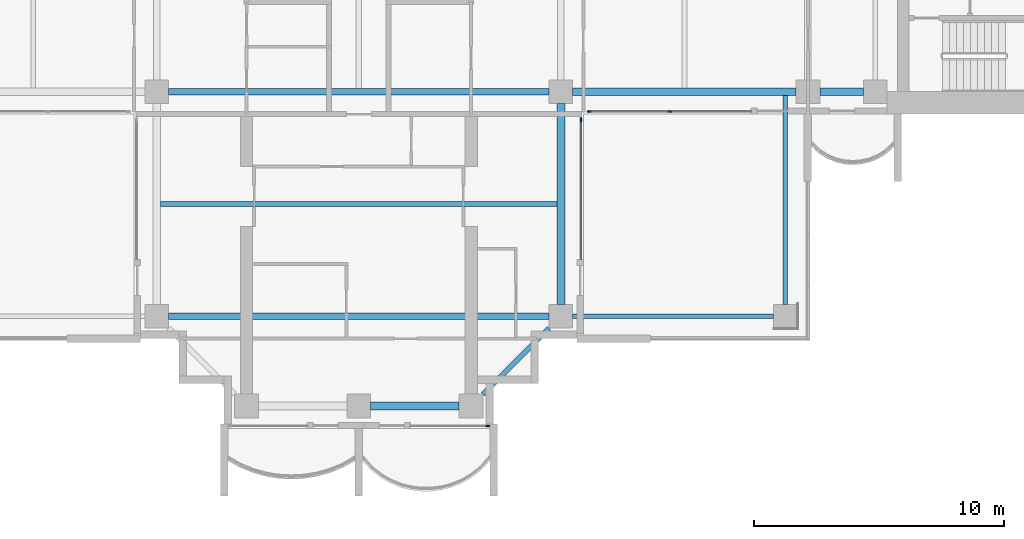
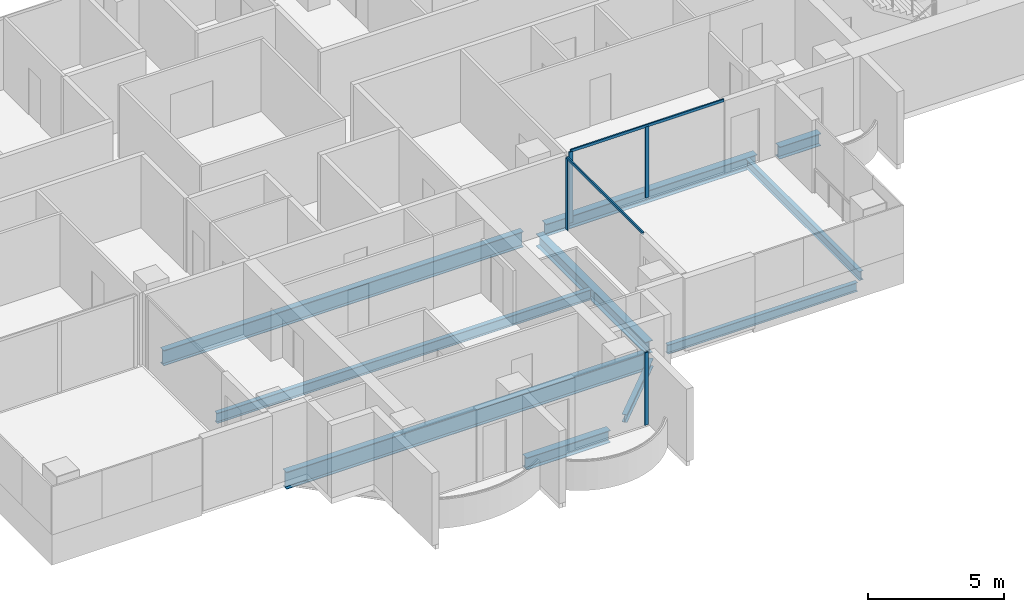
# One storey, part 3 of 17: 10 beams, 6 members, 3 elements without a shape of their own.
"""IFC4 building model written with IfcOpenShell, lengths in metres."""

from ifc_helpers import new_model, si_unit, direction, frame, origin, origin_2d, place, context, subcontext, project, spatial, rectangle, i_section, extrude, material, material_profile, profile_set, type_object, element, aggregate, save


model = new_model("IFC4")

# Units and contexts
model_context = context("Model", 3, precision=1e-05, world=origin(), true_north=direction((0.0, 1.0)))
body_context = subcontext(model_context, "Body", "Model", "MODEL_VIEW")
ifc_project = project(units=[si_unit("LENGTHUNIT", "METRE"), si_unit("AREAUNIT", "SQUARE_METRE"), si_unit("VOLUMEUNIT", "CUBIC_METRE"), si_unit("PLANEANGLEUNIT", "RADIAN"), si_unit("MASSUNIT", "GRAM", prefix="KILO")], contexts=[model_context])

# Site, building, storey
site_placement = place(None, origin())
site = spatial("IfcSite", under=ifc_project, at=site_placement, CompositionType="ELEMENT")
building_placement = place(site_placement, origin())
building = spatial("IfcBuilding", under=site, at=building_placement, Name="Perihelion Cross Residences", CompositionType="ELEMENT")
storey_placement = place(building_placement, frame((0.0, 0.0, 205.10009765625)))
storey = spatial("IfcBuildingStorey", under=building, at=storey_placement, Name="L51", CompositionType="ELEMENT", Elevation=205.10009765625)

# Curtain wall, member
ifc_material_1 = material(Name="Bronze anodised aluminium, tinted glazing", Category="aluminium")
curtain_wall_type = type_object("IfcCurtainWallType", Name="CW1", PredefinedType="NOTDEFINED", material=ifc_material_1)
curtain_wall_1_placement = place(storey_placement, origin())
curtain_wall_1 = element("IfcCurtainWall", 1, at=curtain_wall_1_placement, inside=storey, type_object=curtain_wall_type, Name="Curtain wall CW1 L51 south tip south bay 2", PredefinedType="NOTDEFINED")
ifc_material_2 = material(Name="Bronze anodised aluminium", Category="aluminium")
ifc_material_profile_1 = material_profile(ifc_material_2, rectangle(XDim=0.06005859375, YDim=0.159912109375, at=origin_2d()), Name="CW1 mullion")
ifc_profile_set_1 = profile_set([ifc_material_profile_1], Name="Bronze anodised aluminium")
member_type_1 = type_object("IfcMemberType", Name="CW1 mullion", PredefinedType="MULLION", material=ifc_profile_set_1)
member_1_placement = place(storey_placement, frame((5.169921875, -21.5, 0.0), z_axis=(0.0, 0.0, 1.0), x_axis=(0.0, 1.0, 0.0)))
member_1 = element("IfcMember", 2, at=member_1_placement, type_object=member_type_1, Name="CW1 mullion 2", PredefinedType="MULLION", context=body_context, shape_type="SweptSolid", body=[
    extrude(rectangle(XDim=0.06005859375, YDim=0.159912109375, at=origin_2d()), origin(), (0.0, 0.0, 1.0), 3.25),
])
aggregate(curtain_wall_1, [member_1])

curtain_wall_2_placement = place(storey_placement, origin())
curtain_wall_2 = element("IfcCurtainWall", 3, at=curtain_wall_2_placement, inside=storey, type_object=curtain_wall_type, Name="Curtain wall CW1 L51 south side east bay 1", PredefinedType="NOTDEFINED")
member_2_placement = place(storey_placement, frame((8.89990234375, -9.22998046875, 0.0), z_axis=(0.0, 0.0, 1.0), x_axis=(-1.0, 0.0, 0.0)))
member_2 = element("IfcMember", 4, at=member_2_placement, type_object=member_type_1, Name="CW1 mullion 2", PredefinedType="MULLION", context=body_context, shape_type="SweptSolid", body=[
    extrude(rectangle(XDim=0.06005859375, YDim=0.159912109375, at=origin_2d()), origin(), (0.0, 0.0, 1.0), 3.18994140625),
])

# Curtain wall, members
curtain_wall_3_placement = place(storey_placement, origin())
curtain_wall_3 = element("IfcCurtainWall", 5, at=curtain_wall_3_placement, inside=storey, type_object=curtain_wall_type, Name="Curtain wall CW1 L51 east side south bay 1", PredefinedType="NOTDEFINED")
member_3_placement = place(storey_placement, frame((9.22998046875, -8.89990234375, 0.0), z_axis=(0.0, 0.0, 1.0), x_axis=(0.0, 1.0, 0.0)))
member_3 = element("IfcMember", 6, at=member_3_placement, type_object=member_type_1, Name="CW1 mullion 1", PredefinedType="MULLION", context=body_context, shape_type="SweptSolid", body=[
    extrude(rectangle(XDim=0.06005859375, YDim=0.159912109375, at=origin_2d()), origin(), (0.0, 0.0, 1.0), 3.18994140625),
])
member_4_placement = place(storey_placement, frame((12.46240234375, -8.89990234375, 0.0), z_axis=(0.0, 0.0, 1.0), x_axis=(0.0, 1.0, 0.0)))
member_4 = element("IfcMember", 7, at=member_4_placement, type_object=member_type_1, Name="CW1 mullion 2", PredefinedType="MULLION", context=body_context, shape_type="SweptSolid", body=[
    extrude(rectangle(XDim=0.06005859375, YDim=0.159912109375, at=origin_2d()), origin(), (0.0, 0.0, 1.0), 3.18994140625),
])

# Member
ifc_material_3 = material(Name="Bronze anodised aluminium", Category="aluminium")
ifc_material_profile_2 = material_profile(ifc_material_3, rectangle(XDim=0.06005859375, YDim=0.1201171875, at=origin_2d()), Name="CW1 transom")
ifc_profile_set_2 = profile_set([ifc_material_profile_2], Name="Bronze anodised aluminium")
member_type_2 = type_object("IfcMemberType", Name="CW1 transom", PredefinedType="USERDEFINED", material=ifc_profile_set_2)
member_5_placement = place(storey_placement, frame((8.89990234375, -14.824951171875, 3.219970703125), z_axis=(0.0, 1.0, 0.0), x_axis=(-1.0, 0.0, 0.0)))
member_5 = element("IfcMember", 8, at=member_5_placement, type_object=member_type_2, Name="CW1 head transom", ObjectType="TRANSOM", PredefinedType="USERDEFINED", context=body_context, shape_type="SweptSolid", body=[
    extrude(rectangle(XDim=0.06005859375, YDim=0.1201171875, at=origin_2d()), origin(), (0.0, 0.0, 1.0), 5.594970703125),
])

aggregate(curtain_wall_2, [member_2, member_5])

member_6_placement = place(storey_placement, frame((9.22998046875, -8.89990234375, 3.219970703125), z_axis=(1.0, 0.0, 0.0), x_axis=(0.0, 1.0, 0.0)))
member_6 = element("IfcMember", 9, at=member_6_placement, type_object=member_type_2, Name="CW1 head transom", ObjectType="TRANSOM", PredefinedType="USERDEFINED", context=body_context, shape_type="SweptSolid", body=[
    extrude(rectangle(XDim=0.06005859375, YDim=0.1201171875, at=origin_2d()), origin(), (0.0, 0.0, 1.0), 6.4951171875),
])

aggregate(curtain_wall_3, [member_3, member_4, member_6])

# Beams
ifc_material_4 = material(Name="Steel S355", Category="steel")
ifc_material_profile_3 = material_profile(ifc_material_4, i_section(OverallWidth=0.177978515625, OverallDepth=0.406005859375, WebThickness=0.0078125, FlangeThickness=0.0126953125, at=origin_2d()), Name="W410x60")
ifc_profile_set_3 = profile_set([ifc_material_profile_3], Name="Steel S355")
beam_type_1 = type_object("IfcBeamType", Name="Core edge beam W410x60", PredefinedType="BEAM", material=ifc_profile_set_3)
beam_1_placement = place(storey_placement, frame((17.10009765625, -8.256103515625, -0.453125), z_axis=(0.0, -1.0, 0.0), x_axis=(1.0, 0.0, 0.0)))
element("IfcBeam", 10, at=beam_1_placement, inside=storey, type_object=beam_type_1, Name="Core edge beam TB2 L51 corner no. 3", PredefinedType="BEAM", context=body_context, shape_type="SweptSolid", body=[
    extrude(i_section(OverallWidth=0.177978515625, OverallDepth=0.406005859375, WebThickness=0.0078125, FlangeThickness=0.0126953125, at=origin_2d()), origin(), (0.0, 0.0, 1.0), 8.368896484375),
])
beam_2_placement = place(storey_placement, frame((8.574951171875, -17.10009765625, -0.453125), z_axis=(1.0, 0.0, 0.0), x_axis=(0.0, 1.0, 0.0)))
element("IfcBeam", 11, at=beam_2_placement, inside=storey, type_object=beam_type_1, Name="Core edge beam TB2 L51 corner no. 4", PredefinedType="BEAM", context=body_context, shape_type="SweptSolid", body=[
    extrude(i_section(OverallWidth=0.177978515625, OverallDepth=0.406005859375, WebThickness=0.0078125, FlangeThickness=0.0126953125, at=origin_2d()), origin(), (0.0, 0.0, 1.0), 8.050048828125),
])
ifc_material_5 = material(Name="Steel S355", Category="steel")
ifc_material_profile_4 = material_profile(ifc_material_5, i_section(OverallWidth=0.31201171875, OverallDepth=0.5439453125, WebThickness=0.0126953125, FlangeThickness=0.020263671875, at=origin_2d()), Name="W530x150")
ifc_profile_set_4 = profile_set([ifc_material_profile_4], Name="Steel S355")
beam_type_2 = type_object("IfcBeamType", Name="Edge beam W530x150", PredefinedType="SPANDREL", material=ifc_profile_set_4)
beam_3_placement = place(storey_placement, frame((0.47509765625, -20.699951171875, -0.522216796875), z_axis=(1.0, 0.0, 0.0), x_axis=(0.0, 1.0, 0.0)))
element("IfcBeam", 12, at=beam_3_placement, inside=storey, type_object=beam_type_2, Name="Edge beam SB4 L51 no. 7", PredefinedType="SPANDREL", context=body_context, shape_type="SweptSolid", body=[
    extrude(i_section(OverallWidth=0.31201171875, OverallDepth=0.5439453125, WebThickness=0.0126953125, FlangeThickness=0.020263671875, at=origin_2d()), origin(), (0.0, 0.0, 1.0), 3.5498046875),
])
beam_4_placement = place(storey_placement, frame((8.10009765625, -16.625, -0.522216796875), z_axis=(0.0, 1.0, 0.0), x_axis=(-1.0, 0.0, 0.0)))
element("IfcBeam", 13, at=beam_4_placement, inside=storey, type_object=beam_type_2, Name="Edge beam SB4 L51 no. 11", PredefinedType="SPANDREL", context=body_context, shape_type="SweptSolid", body=[
    extrude(i_section(OverallWidth=0.31201171875, OverallDepth=0.5439453125, WebThickness=0.0126953125, FlangeThickness=0.020263671875, at=origin_2d()), origin(), (0.0, 0.0, 1.0), 8.050048828125),
])
beam_5_placement = place(storey_placement, frame((8.574951171875, -8.10009765625, -0.522216796875), z_axis=(1.0, 0.0, 0.0), x_axis=(0.0, 1.0, 0.0)))
element("IfcBeam", 14, at=beam_5_placement, inside=storey, type_object=beam_type_2, Name="Edge beam SB4 L51 no. 12", PredefinedType="SPANDREL", context=body_context, shape_type="SweptSolid", body=[
    extrude(i_section(OverallWidth=0.31201171875, OverallDepth=0.5439453125, WebThickness=0.0126953125, FlangeThickness=0.020263671875, at=origin_2d()), origin(), (0.0, 0.0, 1.0), 8.949951171875),
])
beam_6_placement = place(storey_placement, frame((18.47509765625, -8.10009765625, -0.522216796875), z_axis=(1.0, 0.0, 0.0), x_axis=(0.0, 1.0, 0.0)))
element("IfcBeam", 15, at=beam_6_placement, inside=storey, type_object=beam_type_2, Name="Edge beam SB4 L51 no. 8", PredefinedType="SPANDREL", context=body_context, shape_type="SweptSolid", body=[
    extrude(i_section(OverallWidth=0.31201171875, OverallDepth=0.5439453125, WebThickness=0.0126953125, FlangeThickness=0.020263671875, at=origin_2d()), origin(), (0.0, 0.0, 1.0), 1.75),
])
ifc_material_6 = material(Name="Steel S355", Category="steel")
ifc_material_profile_5 = material_profile(ifc_material_6, i_section(OverallWidth=0.26708984375, OverallDepth=0.77001953125, WebThickness=0.015625, FlangeThickness=0.025390625, at=origin_2d()), Name="W760x196")
ifc_profile_set_5 = profile_set([ifc_material_profile_5], Name="Steel S355")
beam_type_3 = type_object("IfcBeamType", Name="Floor girder W760x196", PredefinedType="BEAM", material=ifc_profile_set_5)
beam_7_placement = place(storey_placement, frame((-7.625, -17.10009765625, -0.635009765625), z_axis=(1.0, 0.0, 0.0), x_axis=(0.0, 1.0, 0.0)))
element("IfcBeam", 16, at=beam_7_placement, inside=storey, type_object=beam_type_3, Name="Girder G4 L51 no. 3", PredefinedType="BEAM", context=body_context, shape_type="SweptSolid", body=[
    extrude(i_section(OverallWidth=0.26708984375, OverallDepth=0.77001953125, WebThickness=0.015625, FlangeThickness=0.025390625, at=origin_2d()), origin(), (0.0, 0.0, 1.0), 15.25),
])
ifc_material_7 = material(Name="Steel S355", Category="steel")
ifc_material_profile_6 = material_profile(ifc_material_7, i_section(OverallWidth=0.19091796875, OverallDepth=0.45703125, WebThickness=0.009033203125, FlangeThickness=0.014404296875, at=origin_2d()), Name="W460x74")
ifc_profile_set_6 = profile_set([ifc_material_profile_6], Name="Steel S355")
beam_type_4 = type_object("IfcBeamType", Name="Floor joist W460x74", PredefinedType="JOIST", material=ifc_profile_set_6)
beam_8_placement = place(storey_placement, frame((-7.944091796875, -12.60009765625, -0.478515625), z_axis=(1.0, 0.0, 0.0), x_axis=(0.0, 1.0, 0.0)))
element("IfcBeam", 17, at=beam_8_placement, inside=storey, type_object=beam_type_4, Name="Joist J5 L51 no. 3", PredefinedType="JOIST", context=body_context, shape_type="SweptSolid", body=[
    extrude(i_section(OverallWidth=0.19091796875, OverallDepth=0.45703125, WebThickness=0.009033203125, FlangeThickness=0.014404296875, at=origin_2d()), origin(), (0.0, 0.0, 1.0), 15.88818359375),
])
ifc_material_8 = material(Name="Steel S355", Category="steel")
ifc_material_profile_7 = material_profile(ifc_material_8, i_section(OverallWidth=0.257080078125, OverallDepth=0.693115234375, WebThickness=0.014404296875, FlangeThickness=0.023681640625, at=origin_2d()), Name="W690x170")
ifc_profile_set_7 = profile_set([ifc_material_profile_7], Name="Steel S355")
beam_type_5 = type_object("IfcBeamType", Name="Hub ring girder W690x170", PredefinedType="BEAM", material=ifc_profile_set_7)
beam_9_placement = place(storey_placement, frame((-7.625, -8.10009765625, -0.5966796875), z_axis=(1.0, 0.0, 0.0), x_axis=(0.0, 1.0, 0.0)))
element("IfcBeam", 18, at=beam_9_placement, inside=storey, type_object=beam_type_5, Name="Hub ring girder RG4 L51 no. 1", PredefinedType="BEAM", context=body_context, shape_type="SweptSolid", body=[
    extrude(i_section(OverallWidth=0.257080078125, OverallDepth=0.693115234375, WebThickness=0.014404296875, FlangeThickness=0.023681640625, at=origin_2d()), origin(), (0.0, 0.0, 1.0), 15.25),
])
ifc_material_9 = material(Name="Steel S355", Category="steel")
ifc_material_profile_8 = material_profile(ifc_material_9, i_section(OverallWidth=0.205078125, OverallDepth=0.35302734375, WebThickness=0.009521484375, FlangeThickness=0.016845703125, at=origin_2d()), Name="W360x79")
ifc_profile_set_8 = profile_set([ifc_material_profile_8], Name="Steel S355")
beam_type_6 = type_object("IfcBeamType", Name="Serration edge beam W360x79", PredefinedType="BEAM", material=ifc_profile_set_8)
beam_10_placement = place(storey_placement, frame((4.97509765625, -20.22509765625, -0.426513671875), z_axis=(0.70707420838, 0.707139352493, 0.0), x_axis=(-0.707139352493, 0.70707420838, 0.0)))
element("IfcBeam", 19, at=beam_10_placement, inside=storey, type_object=beam_type_6, Name="Serration edge beam EB4 L51 no. 2", PredefinedType="BEAM", context=body_context, shape_type="SweptSolid", body=[
    extrude(i_section(OverallWidth=0.205078125, OverallDepth=0.35302734375, WebThickness=0.009521484375, FlangeThickness=0.016845703125, at=origin_2d()), origin(), (0.0, 0.0, 1.0), 3.747802734375),
])

save(model, "model.ifc")
